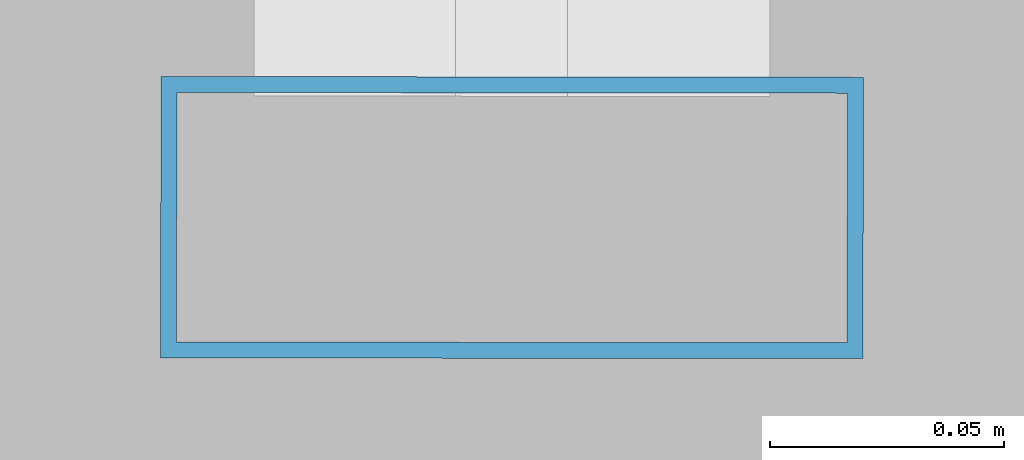
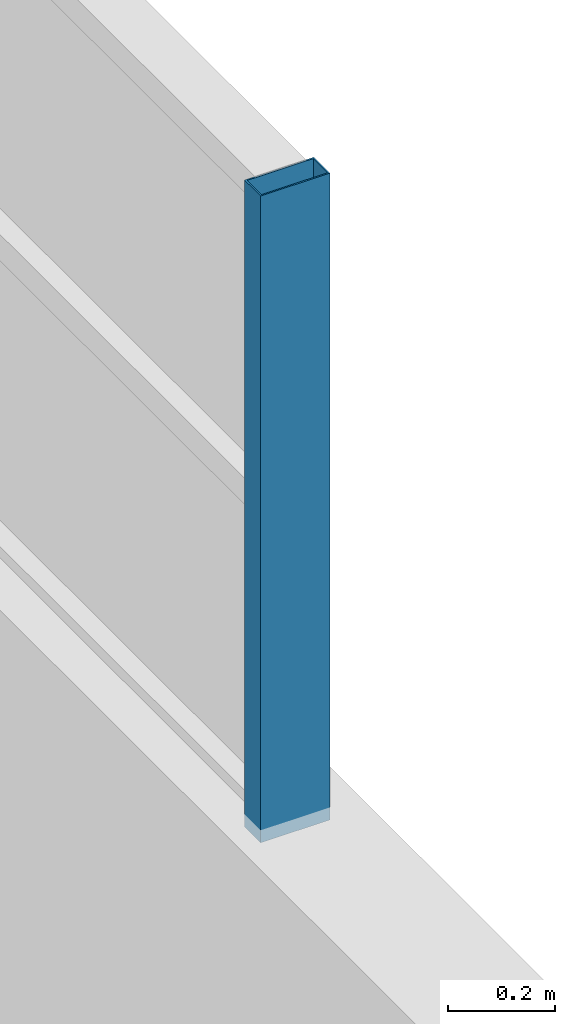
# One storey, part 42 of 118: 1 member, 1 element without a shape of its own.
"""IFC4 building model written with IfcOpenShell, lengths in metres."""

from ifc_helpers import new_model, si_unit, direction, frame, origin, origin_2d, place, context, subcontext, project, spatial, hollow_rectangle, extrude, material, layer, layer_set, material_profile, profile_set, type_object, element, aggregate, save


model = new_model("IFC4")

# Units and contexts
model_context = context("Model", 3, precision=1e-05, world=origin(), true_north=direction((0.0, 1.0)))
body_context = subcontext(model_context, "Body", "Model", "MODEL_VIEW")
ifc_project = project(units=[si_unit("LENGTHUNIT", "METRE"), si_unit("AREAUNIT", "SQUARE_METRE"), si_unit("VOLUMEUNIT", "CUBIC_METRE"), si_unit("PLANEANGLEUNIT", "RADIAN"), si_unit("MASSUNIT", "GRAM", prefix="KILO"), si_unit("THERMODYNAMICTEMPERATUREUNIT", "KELVIN"), si_unit("POWERUNIT", "WATT")], contexts=[model_context])

# Site, building, storey
site_placement = place(None, origin())
site = spatial("IfcSite", under=ifc_project, at=site_placement, CompositionType="ELEMENT")
building_placement = place(site_placement, origin())
building = spatial("IfcBuilding", under=site, at=building_placement, Name="Zelmaris Science Centre", CompositionType="ELEMENT")
storey_placement = place(building_placement, frame((0.0, 0.0, 15.60009765625)))
storey = spatial("IfcBuildingStorey", under=building, at=storey_placement, Name="L03", CompositionType="ELEMENT", Elevation=15.60009765625)

# Curtain wall, member
ifc_material = material(Name="Anodised architectural aluminium 6063-T6", Category="aluminium")
ifc_layer = layer(ifc_material, 0.219970703125, Name="Anodised architectural aluminium 6063-T6")
ifc_layer_set = layer_set([ifc_layer], Name="Anodised architectural aluminium 6063-T6")
curtain_wall_type = type_object("IfcCurtainWallType", Name="Curtain Wall CW-04", PredefinedType="USERDEFINED", material=ifc_layer_set)
curtain_wall_placement = place(storey_placement, origin())
curtain_wall = element("IfcCurtainWall", 1, at=curtain_wall_placement, inside=storey, type_object=curtain_wall_type, Name="L03 Clerestory curtain wall 336", ObjectType="GLAZED CURTAIN WALL", PredefinedType="USERDEFINED")
ifc_material_profile = material_profile(ifc_material, hollow_rectangle(XDim=0.06005859375, YDim=0.14990234375, WallThickness=0.00341796875, at=origin_2d()), Name="ALU-MUL-60X150")
ifc_profile_set = profile_set([ifc_material_profile], Name="Anodised architectural aluminium 6063-T6")
member_type = type_object("IfcMemberType", Name="ALU-MUL-60X150", PredefinedType="MULLION", material=ifc_profile_set)
member_placement = place(storey_placement, frame((86.843994140625, 55.52978515625, 2.419921875), z_axis=(0.0, 0.0, 1.0), x_axis=(-0.001148426395, -0.999999340558, 0.0)))
member = element("IfcMember", 2, at=member_placement, type_object=member_type, Name="CW-04 mullion 4", PredefinedType="MULLION", context=body_context, shape_type="SweptSolid", body=[
    extrude(hollow_rectangle(XDim=0.06005859375, YDim=0.14990234375, WallThickness=0.00341796875, at=origin_2d()), origin(), (0.0, 0.0, 1.0), 1.47705078125),
])
aggregate(curtain_wall, [member])

save(model, "model.ifc")
